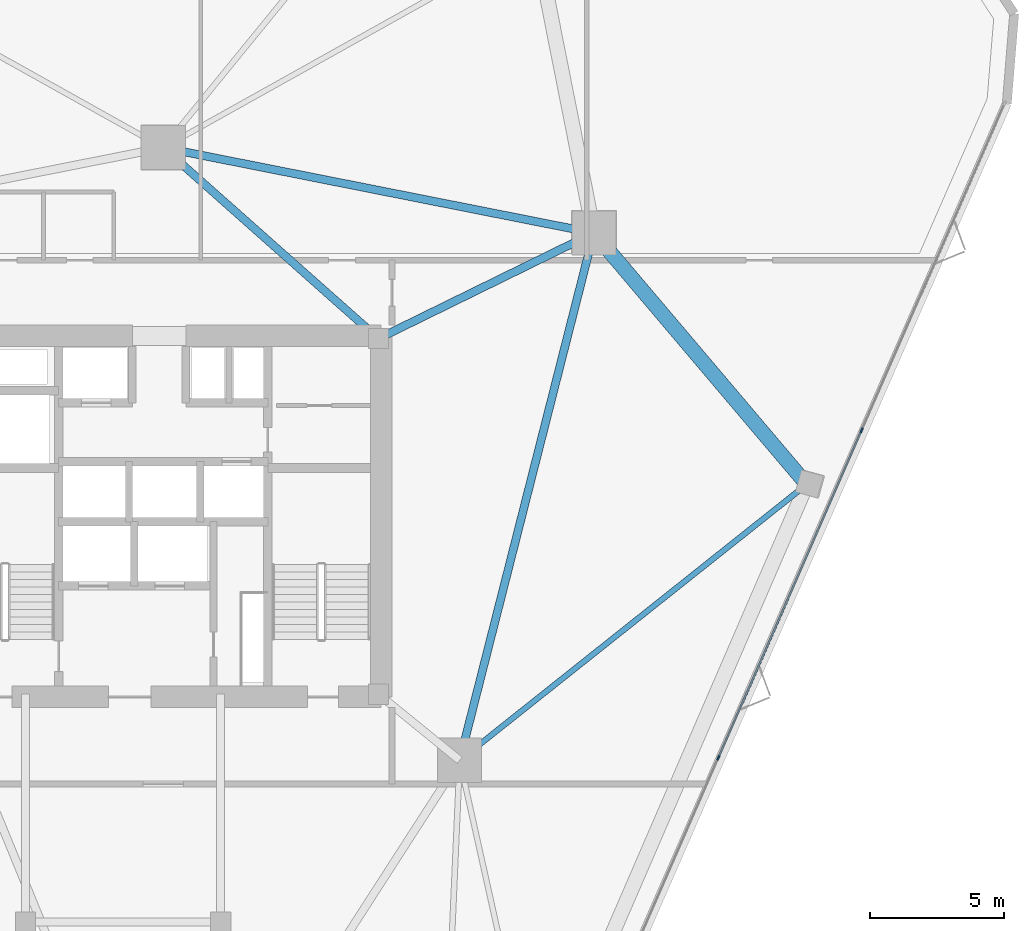
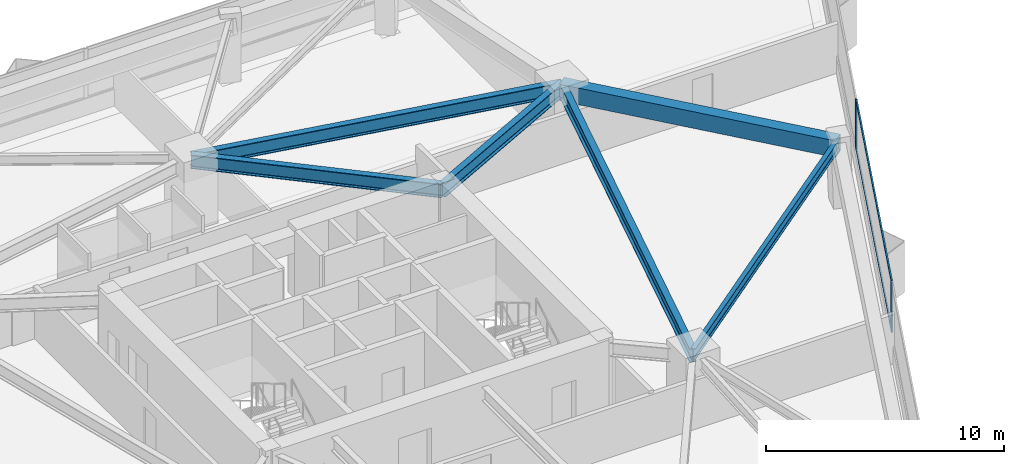
# One storey, part 9 of 20: 6 beams, 4 members, 1 element without a shape of its own.
"""IFC4 building model written with IfcOpenShell, lengths in metres."""

import ifcopenshell
import ifcopenshell.guid

model = None  # the IFC model being written
_history = None  # IfcOwnerHistory: only IFC2X3 demands one
_inside = {}  # id of a spatial element -> (the spatial element, [elements in it])
_under = {}  # id of a project, library or spatial element -> (it, [spatial elements below it])
_declared = {}  # id of a project -> (the project, [libraries it declares])
_typed = {}  # id of a type object -> (the type object, [elements of that type])
_made_of = {}  # id of a material, layer set ... -> (it, [elements and type objects made of it])


def new_model(schema):
    """Start an empty IFC model of exactly this schema.

    Asked for "IFC4X3", IfcOpenShell would pick the latest addendum, in which some entities
    have other attributes; the version numbers below select the first issue.
    IFC2X3 requires an IfcOwnerHistory on every rooted entity: one is made here for all.
    """
    global model, _history
    if schema == "IFC4X3":
        model = ifcopenshell.file(schema_version=(4, 3, 0, 0))
    else:
        model = ifcopenshell.file(schema=schema)
    _inside.clear()
    _under.clear()
    _declared.clear()
    _typed.clear()
    _made_of.clear()
    _history = None
    if model.schema == "IFC2X3":
        org = make("IfcOrganization", Name="unknown")
        user = make(
            "IfcPersonAndOrganization",
            ThePerson=make("IfcPerson", FamilyName="unknown"),
            TheOrganization=org,
        )
        app = make(
            "IfcApplication",
            ApplicationDeveloper=org,
            Version="unknown",
            ApplicationFullName="unknown",
            ApplicationIdentifier="unknown",
        )
        _history = make(
            "IfcOwnerHistory",
            OwningUser=user,
            OwningApplication=app,
            ChangeAction="ADDED",
            CreationDate=0,
        )
    return model


def make(cls, **values):
    """One entity of the class cls with the attributes given. An attribute that is None is left unset."""
    return model.create_entity(
        cls, **{name: value for name, value in values.items() if value is not None}
    )


def rooted(cls, **values):
    """An entity with a GlobalId (a new one), such as an element, a storey or a relation."""
    return make(cls, GlobalId=ifcopenshell.guid.new(), OwnerHistory=_history, **values)


def si_unit(unit_type, name, prefix=None):
    """IfcSIUnit, for example si_unit("LENGTHUNIT", "METRE", prefix="MILLI")."""
    return make("IfcSIUnit", UnitType=unit_type, Prefix=prefix, Name=name)


def assignment(units):
    """IfcUnitAssignment: the units of a project."""
    return None if units is None else make("IfcUnitAssignment", Units=units)


def point(xyz):
    """IfcCartesianPoint."""
    return None if xyz is None else make("IfcCartesianPoint", Coordinates=xyz)


def direction(xyz):
    """IfcDirection."""
    return None if xyz is None else make("IfcDirection", DirectionRatios=xyz)


def frame(location, z_axis=None, x_axis=None):
    """IfcAxis2Placement3D, a coordinate frame: its origin and axes. An axis left out is left unset."""
    return make(
        "IfcAxis2Placement3D",
        Location=point(location),
        Axis=direction(z_axis),
        RefDirection=direction(x_axis),
    )


def frame_2d(location, x_axis=None):
    """IfcAxis2Placement2D, a coordinate frame in the plane: its origin and x axis."""
    return make(
        "IfcAxis2Placement2D", Location=point(location), RefDirection=direction(x_axis)
    )


def origin():
    """The frame at (0, 0, 0) with its axes left unset."""
    return frame((0.0, 0.0, 0.0))


def origin_2d():
    """The frame at (0, 0) in the plane with its x axis left unset."""
    return frame_2d((0.0, 0.0))


def place(relative_to, where):
    """IfcLocalPlacement: puts the frame where relative to a parent placement (None: the world)."""
    return make(
        "IfcLocalPlacement", PlacementRelTo=relative_to, RelativePlacement=where
    )


def context(
    kind, dimensions, precision=None, world=None, true_north=None, identifier=None
):
    """IfcGeometricRepresentationContext, for example the 3D "Model" context."""
    return make(
        "IfcGeometricRepresentationContext",
        ContextIdentifier=identifier,
        ContextType=kind,
        CoordinateSpaceDimension=dimensions,
        Precision=precision,
        WorldCoordinateSystem=world,
        TrueNorth=true_north,
    )


def subcontext(parent, identifier, kind, view, scale=None):
    """IfcGeometricRepresentationSubContext, for example "Body" below "Model"."""
    return make(
        "IfcGeometricRepresentationSubContext",
        ContextIdentifier=identifier,
        ContextType=kind,
        ParentContext=parent,
        TargetScale=scale,
        TargetView=view,
    )


def project(units=None, contexts=None):
    """IfcProject with its units and contexts."""
    return rooted(
        "IfcProject",
        Name="project",
        RepresentationContexts=contexts,
        UnitsInContext=assignment(units),
    )


def spatial(cls, under=None, at=None, **own):
    """A site, building, storey or space (cls), placed at a placement, below another one or the project."""
    s = rooted(cls, ObjectPlacement=at, **own)
    if under is not None:
        _under.setdefault(under.id(), (under, []))[1].append(s)
    return s


def profile(cls, at=None, kind="AREA", **sizes):
    """A parametric profile (cls). Its sizes go by their IFC names, for example OverallWidth=200.0."""
    return make(cls, ProfileType=kind, Position=at, **sizes)


def rectangle(**sizes):
    """IfcRectangleProfileDef."""
    return profile("IfcRectangleProfileDef", **sizes)


def i_section(**sizes):
    """IfcIShapeProfileDef."""
    return profile("IfcIShapeProfileDef", **sizes)


def extrude(swept, where, along, depth):
    """IfcExtrudedAreaSolid: the profile swept, set in the frame where, extruded along a direction by depth."""
    return make(
        "IfcExtrudedAreaSolid",
        SweptArea=swept,
        Position=where,
        ExtrudedDirection=direction(along),
        Depth=depth,
    )


def shape(context_of_items, identifier, shape_type, items):
    """IfcShapeRepresentation: the items that make up one representation, for example the "Body"."""
    return make(
        "IfcShapeRepresentation",
        ContextOfItems=context_of_items,
        RepresentationIdentifier=identifier,
        RepresentationType=shape_type,
        Items=items,
    )


def material(Name=None, Category=None):
    """IfcMaterial."""
    return make("IfcMaterial", Name=Name, Category=Category)


def layer(
    of_material, thickness, ventilated=None, Name=None, Category=None, Priority=None
):
    """IfcMaterialLayer: one layer of a wall or slab, of a material (None: an air gap)."""
    return make(
        "IfcMaterialLayer",
        Material=of_material,
        LayerThickness=thickness,
        IsVentilated=ventilated,
        Name=Name,
        Category=Category,
        Priority=Priority,
    )


def layer_set(layers, Name=None):
    """IfcMaterialLayerSet."""
    return make("IfcMaterialLayerSet", MaterialLayers=layers, LayerSetName=Name)


def material_profile(
    of_material, cross_section, Name=None, Category=None, Priority=None
):
    """IfcMaterialProfile: a cross section and its material."""
    return make(
        "IfcMaterialProfile",
        Name=Name,
        Material=of_material,
        Profile=cross_section,
        Priority=Priority,
        Category=Category,
    )


def profile_set(profiles, Name=None, composite=None):
    """IfcMaterialProfileSet."""
    return make(
        "IfcMaterialProfileSet",
        Name=Name,
        MaterialProfiles=profiles,
        CompositeProfile=composite,
    )


def made_of(thing, what):
    """Note that an element or type object is made of a material, layer set ...; save() writes the relation."""
    if what is not None:
        _made_of.setdefault(what.id(), (what, []))[1].append(thing)
    return thing


def type_object(cls, material=None, **own):
    """A type object (cls), such as IfcWallType, which elements share."""
    return made_of(rooted(cls, **own), material)


def element(
    cls,
    number,
    at=None,
    inside=None,
    cuts=None,
    type_object=None,
    material=None,
    context=None,
    identifier="Body",
    shape_type=None,
    held_by="IfcProductDefinitionShape",
    body=None,
    shapes=None,
    **own,
):
    """One element of the class cls, such as IfcWall. Its Tag is "e" and its number.

    at: its placement. inside: the storey or other place that contains it. cuts: it is an
    opening in that element (IfcRelVoidsElement). A single representation is given by context,
    identifier, shape_type and body (its items); several are given by shapes. held_by: the class
    of the entity that holds the representations. save() writes the other relations.
    """
    e = rooted(cls, Tag="e%d" % number, ObjectPlacement=at, **own)
    if body is not None:
        shapes = [shape(context, identifier, shape_type, body)]
    if shapes is not None:
        e.Representation = make(held_by, Representations=shapes)
    if inside is not None:
        _inside.setdefault(inside.id(), (inside, []))[1].append(e)
    if cuts is not None:
        rooted(
            "IfcRelVoidsElement", RelatingBuildingElement=cuts, RelatedOpeningElement=e
        )
    if type_object is not None:
        _typed.setdefault(type_object.id(), (type_object, []))[1].append(e)
    return made_of(e, material)


def aggregate(whole, parts):
    """IfcRelAggregates: a whole, such as a stair, and the parts it consists of."""
    return rooted("IfcRelAggregates", RelatingObject=whole, RelatedObjects=parts)


def save(model, path):
    """Write the relations noted so far, then the file.

    IfcRelAggregates (storeys below a building ...), IfcRelContainedInSpatialStructure (elements
    in a storey), IfcRelDefinesByType, IfcRelAssociatesMaterial and IfcRelDeclares: one each for
    every whole, place, type object, material and project.
    """
    for whole, parts in _under.values():
        aggregate(whole, parts)
    for where, things in _inside.values():
        rooted(
            "IfcRelContainedInSpatialStructure",
            RelatedElements=things,
            RelatingStructure=where,
        )
    for kind, things in _typed.values():
        rooted("IfcRelDefinesByType", RelatedObjects=things, RelatingType=kind)
    for what, things in _made_of.values():
        rooted("IfcRelAssociatesMaterial", RelatedObjects=things, RelatingMaterial=what)
    for by, libraries in _declared.values():
        rooted("IfcRelDeclares", RelatingContext=by, RelatedDefinitions=libraries)
    model.write(path)


model = new_model("IFC4")

# Units and contexts
model_context = context("Model", 3, precision=1e-05, world=origin(), true_north=direction((0.0, 1.0)))
body_context = subcontext(model_context, "Body", "Model", "MODEL_VIEW")
ifc_project = project(units=[si_unit("LENGTHUNIT", "METRE"), si_unit("AREAUNIT", "SQUARE_METRE"), si_unit("VOLUMEUNIT", "CUBIC_METRE"), si_unit("PLANEANGLEUNIT", "RADIAN"), si_unit("MASSUNIT", "GRAM", prefix="KILO")], contexts=[model_context])

# Site, building, storey
site_placement = place(None, origin())
site = spatial("IfcSite", under=ifc_project, at=site_placement, CompositionType="ELEMENT")
building_placement = place(site_placement, origin())
building = spatial("IfcBuilding", under=site, at=building_placement, Name="Talyreon Biosciences Tower", CompositionType="ELEMENT")
storey_placement = place(building_placement, frame((0.0, 0.0, 78.64990234375)))
storey = spatial("IfcBuildingStorey", under=building, at=storey_placement, Name="L20", CompositionType="ELEMENT", Elevation=78.64990234375)

# Curtain wall, members
ifc_material_1 = material(Name="Thermally broken aluminium and low-E glazing", Category="aluminium")
ifc_layer = layer(ifc_material_1, 0.18994140625)
ifc_layer_set = layer_set([ifc_layer], Name="Thermally broken aluminium and low-E glazing")
curtain_wall_type = type_object("IfcCurtainWallType", Name="CurtainWall_Zone2Genomics", PredefinedType="NOTDEFINED", material=ifc_layer_set)
curtain_wall_placement = place(storey_placement, origin())
curtain_wall = element("IfcCurtainWall", 1, at=curtain_wall_placement, inside=storey, type_object=curtain_wall_type, Name="L20 Unitised Curtain Wall FCW-L20-08", PredefinedType="NOTDEFINED")
ifc_material_2 = material(Name="Anodised thermally broken aluminium", Category="aluminium")
ifc_material_profile_1 = material_profile(ifc_material_2, rectangle(XDim=0.06494140625, YDim=0.179931640625, at=origin_2d()), Name="ALUM MULLION 65x180")
ifc_profile_set_1 = profile_set([ifc_material_profile_1], Name="Anodised thermally broken aluminium")
member_type_1 = type_object("IfcMemberType", Name="CWMullion_65x180", PredefinedType="MULLION", material=ifc_profile_set_1)
member_1_placement = place(storey_placement, frame((92.11865234375, 71.2197265625, 0.81005859375), z_axis=(0.0, 0.0, 1.0), x_axis=(0.916213942072, -0.400689421314, 0.0)))
member_1 = element("IfcMember", 2, at=member_1_placement, type_object=member_type_1, Name="CW3 mullion 2", PredefinedType="MULLION", context=body_context, shape_type="SweptSolid", body=[
    extrude(rectangle(XDim=0.06494140625, YDim=0.179931640625, at=origin_2d()), origin(), (0.0, 0.0, 1.0), 2.56494140625),
])
member_2_placement = place(storey_placement, frame((86.76171875, 58.970703125, 0.81005859375), z_axis=(0.0, 0.0, 1.0), x_axis=(0.916213942072, -0.400689421314, 0.0)))
member_2 = element("IfcMember", 3, at=member_2_placement, type_object=member_type_1, Name="CW3 mullion 3", PredefinedType="MULLION", context=body_context, shape_type="SweptSolid", body=[
    extrude(rectangle(XDim=0.06494140625, YDim=0.179931640625, at=origin_2d()), origin(), (0.0, 0.0, 1.0), 2.56494140625),
])
ifc_material_profile_2 = material_profile(ifc_material_2, rectangle(XDim=0.06494140625, YDim=0.139892578125, at=origin_2d()), Name="ALUM TRANSOM 65x140")
ifc_profile_set_2 = profile_set([ifc_material_profile_2], Name="Anodised thermally broken aluminium")
member_type_2 = type_object("IfcMemberType", Name="CWTransom_65x140", PredefinedType="USERDEFINED", material=ifc_profile_set_2)
member_3_placement = place(storey_placement, frame((92.105712890625, 71.18994140625, 0.842529296875), z_axis=(-0.40068790809, -0.916214603852, 0.0), x_axis=(0.916214603852, -0.40068790809, 0.0)))
member_3 = element("IfcMember", 4, at=member_3_placement, type_object=member_type_2, Name="CW3 transom 2.1", ObjectType="TRANSOM", PredefinedType="USERDEFINED", context=body_context, shape_type="SweptSolid", body=[
    extrude(rectangle(XDim=0.06494140625, YDim=0.139892578125, at=origin_2d()), origin(), (0.0, 0.0, 1.0), 13.30419921875),
])
member_4_placement = place(storey_placement, frame((92.105712890625, 71.18994140625, 3.342529296875), z_axis=(-0.40068790809, -0.916214603852, 0.0), x_axis=(0.916214603852, -0.40068790809, 0.0)))
member_4 = element("IfcMember", 5, at=member_4_placement, type_object=member_type_2, Name="CW3 transom 2.2", ObjectType="TRANSOM", PredefinedType="USERDEFINED", context=body_context, shape_type="SweptSolid", body=[
    extrude(rectangle(XDim=0.06494140625, YDim=0.139892578125, at=origin_2d()), origin(), (0.0, 0.0, 1.0), 13.30419921875),
])
aggregate(curtain_wall, [member_1, member_2, member_3, member_4])

# Beams
ifc_material_3 = material(Name="Precast concrete C45/55", Category="concrete")
ifc_material_profile_3 = material_profile(ifc_material_3, rectangle(XDim=0.550048828125, YDim=0.85009765625, at=origin_2d()), Name="RCB 550x850")
ifc_profile_set_3 = profile_set([ifc_material_profile_3], Name="Precast concrete C45/55")
beam_type_1 = type_object("IfcBeamType", Name="ExpressedSpandrel_550x850", PredefinedType="SPANDREL", material=ifc_profile_set_3)
beam_1_placement = place(storey_placement, frame((90.06689453125, 69.198486328125, 2.9501953125), z_axis=(-0.646444871407, 0.762960699009, 0.0), x_axis=(-0.762960699009, -0.646444871407, 0.0)))
element("IfcBeam", 6, at=beam_1_placement, inside=storey, type_object=beam_type_1, Name="L20 Expressed Horizontal Concrete Spandrel 04", PredefinedType="SPANDREL", context=body_context, shape_type="SweptSolid", body=[
    extrude(rectangle(XDim=0.550048828125, YDim=0.85009765625, at=origin_2d()), origin(), (0.0, 0.0, 1.0), 12.320556640625),
])
ifc_material_4 = material(Name="Steel SM355", Category="steel")
ifc_material_profile_4 = material_profile(ifc_material_4, i_section(OverallWidth=0.300048828125, OverallDepth=0.699951171875, WebThickness=0.01708984375, FlangeThickness=0.031982421875, FilletRadius=0.027099609375, at=origin_2d()), Name="HE700B")
ifc_profile_set_4 = profile_set([ifc_material_profile_4], Name="Steel SM355")
beam_type_2 = type_object("IfcBeamType", Name="SteelGirder_HE700B", PredefinedType="BEAM", material=ifc_profile_set_4)
beam_2_placement = place(storey_placement, frame((77.086181640625, 58.88037109375, 3.025146484375), z_axis=(0.246537082299, 0.969133358755, 0.0), x_axis=(-0.969133358755, 0.246537082299, 0.0)))
element("IfcBeam", 7, at=beam_2_placement, inside=storey, type_object=beam_type_2, Name="L20 Mega-Ring Girder 2", PredefinedType="BEAM", context=body_context, shape_type="SweptSolid", body=[
    extrude(i_section(OverallWidth=0.300048828125, OverallDepth=0.699951171875, WebThickness=0.01708984375, FlangeThickness=0.031982421875, FilletRadius=0.027099609375, at=origin_2d()), origin(), (0.0, 0.0, 1.0), 20.34619140625),
])
beam_3_placement = place(storey_placement, frame((82.102294921875, 78.5986328125, 3.025146484375), z_axis=(-0.980933730698, 0.194342522311, 0.0), x_axis=(-0.194342522311, -0.980933730698, 0.0)))
element("IfcBeam", 8, at=beam_3_placement, inside=storey, type_object=beam_type_2, Name="L20 Mega-Ring Girder 3", PredefinedType="BEAM", context=body_context, shape_type="SweptSolid", body=[
    extrude(i_section(OverallWidth=0.300048828125, OverallDepth=0.699951171875, WebThickness=0.01708984375, FlangeThickness=0.031982421875, FilletRadius=0.027099609375, at=origin_2d()), origin(), (0.0, 0.0, 1.0), 16.415283203125),
])
beam_4_placement = place(storey_placement, frame((74.050048828125, 74.64990234375, 3.025146484375), z_axis=(0.897852360314, 0.440296648952, 0.0), x_axis=(-0.440296648952, 0.897852360314, 0.0)))
element("IfcBeam", 9, at=beam_4_placement, inside=storey, type_object=beam_type_2, Name="L20 Radial Primary Girder 3", PredefinedType="BEAM", context=body_context, shape_type="SweptSolid", body=[
    extrude(i_section(OverallWidth=0.300048828125, OverallDepth=0.699951171875, WebThickness=0.01708984375, FlangeThickness=0.031982421875, FilletRadius=0.027099609375, at=origin_2d()), origin(), (0.0, 0.0, 1.0), 8.96826171875),
])
beam_5_placement = place(storey_placement, frame((74.050048828125, 74.64990234375, 3.025146484375), z_axis=(-0.748178733955, 0.663497235908, 0.0), x_axis=(-0.663497235908, -0.748178733955, 0.0)))
element("IfcBeam", 10, at=beam_5_placement, inside=storey, type_object=beam_type_2, Name="L20 Radial Primary Girder 4", PredefinedType="BEAM", context=body_context, shape_type="SweptSolid", body=[
    extrude(i_section(OverallWidth=0.300048828125, OverallDepth=0.699951171875, WebThickness=0.01708984375, FlangeThickness=0.031982421875, FilletRadius=0.027099609375, at=origin_2d()), origin(), (0.0, 0.0, 1.0), 10.759521484375),
])
ifc_material_profile_5 = material_profile(ifc_material_4, i_section(OverallWidth=0.2099609375, OverallDepth=0.550048828125, WebThickness=0.010986328125, FlangeThickness=0.01708984375, FilletRadius=0.02392578125, at=origin_2d()), Name="IPE550")
ifc_profile_set_5 = profile_set([ifc_material_profile_5], Name="Steel SM355")
beam_type_3 = type_object("IfcBeamType", Name="SteelJoist_IPE550", PredefinedType="JOIST", material=ifc_profile_set_5)
beam_6_placement = place(storey_placement, frame((77.086181640625, 58.88037109375, 3.10009765625), z_axis=(0.782819944685, 0.622248289835, 0.0), x_axis=(-0.622248289835, 0.782819944685, 0.0)))
element("IfcBeam", 11, at=beam_6_placement, inside=storey, type_object=beam_type_3, Name="L20 Radial Composite Floor Joist PC-SE2", PredefinedType="JOIST", context=body_context, shape_type="SweptSolid", body=[
    extrude(i_section(OverallWidth=0.2099609375, OverallDepth=0.550048828125, WebThickness=0.010986328125, FlangeThickness=0.01708984375, FilletRadius=0.02392578125, at=origin_2d()), origin(), (0.0, 0.0, 1.0), 16.58203125),
])

save(model, "model.ifc")
